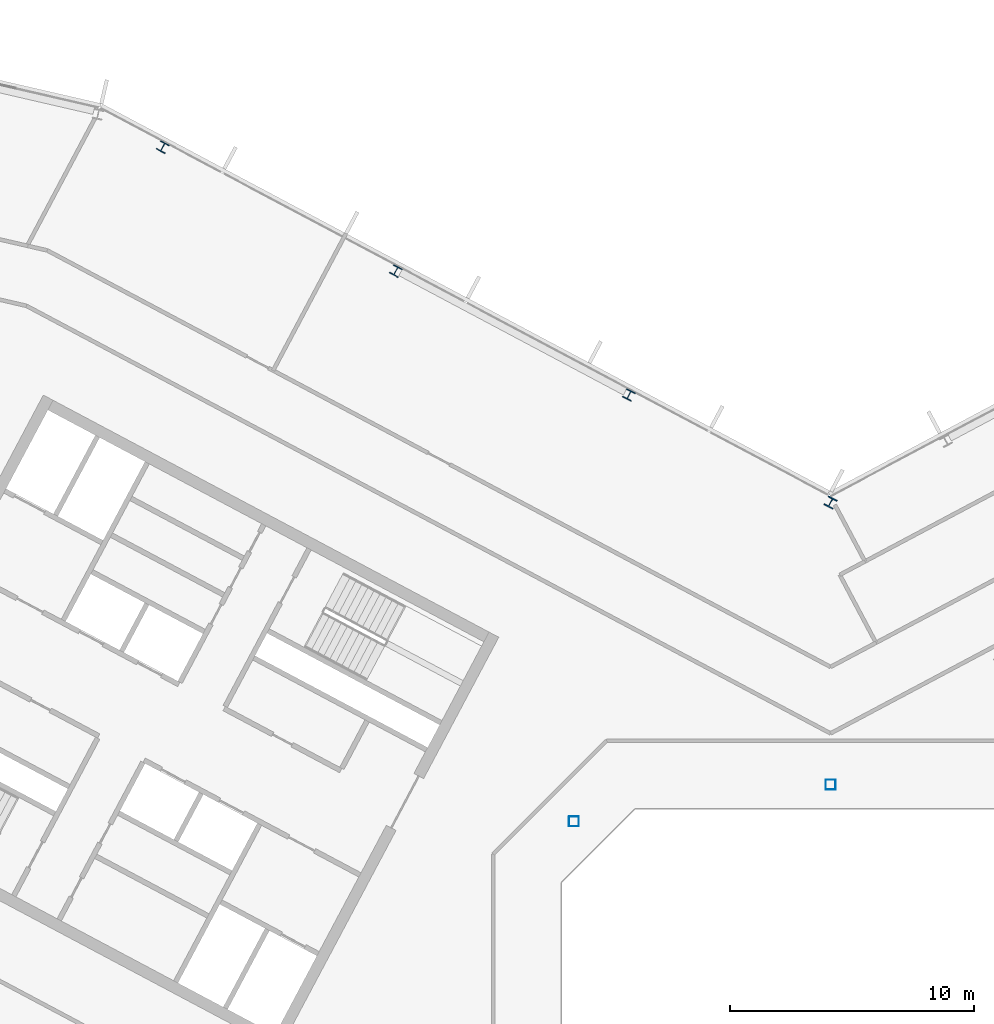
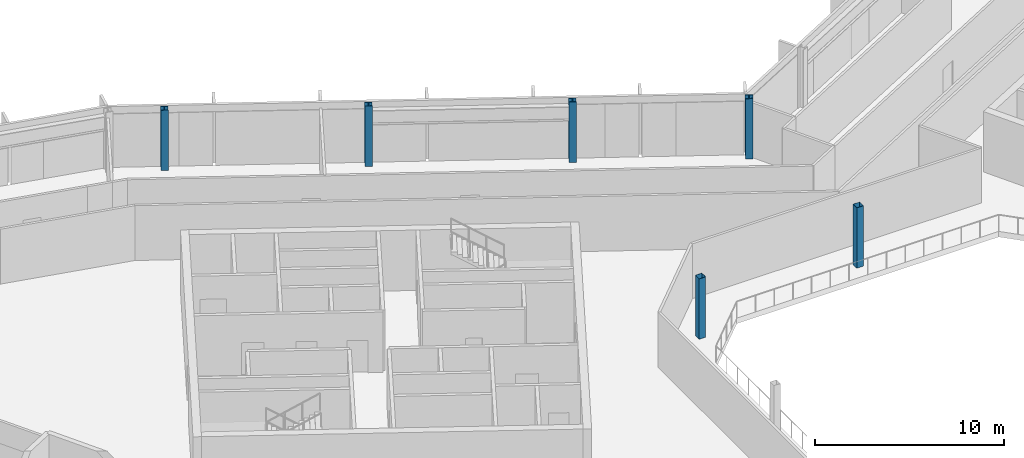
# One storey, part 4 of 26: 6 columns.
"""IFC4 building model written with IfcOpenShell, lengths in metres."""

import ifcopenshell
import ifcopenshell.guid

model = None  # the IFC model being written
_history = None  # IfcOwnerHistory: only IFC2X3 demands one
_inside = {}  # id of a spatial element -> (the spatial element, [elements in it])
_under = {}  # id of a project, library or spatial element -> (it, [spatial elements below it])
_declared = {}  # id of a project -> (the project, [libraries it declares])
_typed = {}  # id of a type object -> (the type object, [elements of that type])
_made_of = {}  # id of a material, layer set ... -> (it, [elements and type objects made of it])


def new_model(schema):
    """Start an empty IFC model of exactly this schema.

    Asked for "IFC4X3", IfcOpenShell would pick the latest addendum, in which some entities
    have other attributes; the version numbers below select the first issue.
    IFC2X3 requires an IfcOwnerHistory on every rooted entity: one is made here for all.
    """
    global model, _history
    if schema == "IFC4X3":
        model = ifcopenshell.file(schema_version=(4, 3, 0, 0))
    else:
        model = ifcopenshell.file(schema=schema)
    _inside.clear()
    _under.clear()
    _declared.clear()
    _typed.clear()
    _made_of.clear()
    _history = None
    if model.schema == "IFC2X3":
        org = make("IfcOrganization", Name="unknown")
        user = make(
            "IfcPersonAndOrganization",
            ThePerson=make("IfcPerson", FamilyName="unknown"),
            TheOrganization=org,
        )
        app = make(
            "IfcApplication",
            ApplicationDeveloper=org,
            Version="unknown",
            ApplicationFullName="unknown",
            ApplicationIdentifier="unknown",
        )
        _history = make(
            "IfcOwnerHistory",
            OwningUser=user,
            OwningApplication=app,
            ChangeAction="ADDED",
            CreationDate=0,
        )
    return model


def make(cls, **values):
    """One entity of the class cls with the attributes given. An attribute that is None is left unset."""
    return model.create_entity(
        cls, **{name: value for name, value in values.items() if value is not None}
    )


def rooted(cls, **values):
    """An entity with a GlobalId (a new one), such as an element, a storey or a relation."""
    return make(cls, GlobalId=ifcopenshell.guid.new(), OwnerHistory=_history, **values)


def si_unit(unit_type, name, prefix=None):
    """IfcSIUnit, for example si_unit("LENGTHUNIT", "METRE", prefix="MILLI")."""
    return make("IfcSIUnit", UnitType=unit_type, Prefix=prefix, Name=name)


def assignment(units):
    """IfcUnitAssignment: the units of a project."""
    return None if units is None else make("IfcUnitAssignment", Units=units)


def point(xyz):
    """IfcCartesianPoint."""
    return None if xyz is None else make("IfcCartesianPoint", Coordinates=xyz)


def direction(xyz):
    """IfcDirection."""
    return None if xyz is None else make("IfcDirection", DirectionRatios=xyz)


def frame(location, z_axis=None, x_axis=None):
    """IfcAxis2Placement3D, a coordinate frame: its origin and axes. An axis left out is left unset."""
    return make(
        "IfcAxis2Placement3D",
        Location=point(location),
        Axis=direction(z_axis),
        RefDirection=direction(x_axis),
    )


def frame_2d(location, x_axis=None):
    """IfcAxis2Placement2D, a coordinate frame in the plane: its origin and x axis."""
    return make(
        "IfcAxis2Placement2D", Location=point(location), RefDirection=direction(x_axis)
    )


def origin():
    """The frame at (0, 0, 0) with its axes left unset."""
    return frame((0.0, 0.0, 0.0))


def origin_2d():
    """The frame at (0, 0) in the plane with its x axis left unset."""
    return frame_2d((0.0, 0.0))


def place(relative_to, where):
    """IfcLocalPlacement: puts the frame where relative to a parent placement (None: the world)."""
    return make(
        "IfcLocalPlacement", PlacementRelTo=relative_to, RelativePlacement=where
    )


def context(
    kind, dimensions, precision=None, world=None, true_north=None, identifier=None
):
    """IfcGeometricRepresentationContext, for example the 3D "Model" context."""
    return make(
        "IfcGeometricRepresentationContext",
        ContextIdentifier=identifier,
        ContextType=kind,
        CoordinateSpaceDimension=dimensions,
        Precision=precision,
        WorldCoordinateSystem=world,
        TrueNorth=true_north,
    )


def subcontext(parent, identifier, kind, view, scale=None):
    """IfcGeometricRepresentationSubContext, for example "Body" below "Model"."""
    return make(
        "IfcGeometricRepresentationSubContext",
        ContextIdentifier=identifier,
        ContextType=kind,
        ParentContext=parent,
        TargetScale=scale,
        TargetView=view,
    )


def project(units=None, contexts=None):
    """IfcProject with its units and contexts."""
    return rooted(
        "IfcProject",
        Name="project",
        RepresentationContexts=contexts,
        UnitsInContext=assignment(units),
    )


def spatial(cls, under=None, at=None, **own):
    """A site, building, storey or space (cls), placed at a placement, below another one or the project."""
    s = rooted(cls, ObjectPlacement=at, **own)
    if under is not None:
        _under.setdefault(under.id(), (under, []))[1].append(s)
    return s


def profile(cls, at=None, kind="AREA", **sizes):
    """A parametric profile (cls). Its sizes go by their IFC names, for example OverallWidth=200.0."""
    return make(cls, ProfileType=kind, Position=at, **sizes)


def hollow_rectangle(**sizes):
    """IfcRectangleHollowProfileDef."""
    return profile("IfcRectangleHollowProfileDef", **sizes)


def i_section(**sizes):
    """IfcIShapeProfileDef."""
    return profile("IfcIShapeProfileDef", **sizes)


def extrude(swept, where, along, depth):
    """IfcExtrudedAreaSolid: the profile swept, set in the frame where, extruded along a direction by depth."""
    return make(
        "IfcExtrudedAreaSolid",
        SweptArea=swept,
        Position=where,
        ExtrudedDirection=direction(along),
        Depth=depth,
    )


def shape(context_of_items, identifier, shape_type, items):
    """IfcShapeRepresentation: the items that make up one representation, for example the "Body"."""
    return make(
        "IfcShapeRepresentation",
        ContextOfItems=context_of_items,
        RepresentationIdentifier=identifier,
        RepresentationType=shape_type,
        Items=items,
    )


def material(Name=None, Category=None):
    """IfcMaterial."""
    return make("IfcMaterial", Name=Name, Category=Category)


def material_profile(
    of_material, cross_section, Name=None, Category=None, Priority=None
):
    """IfcMaterialProfile: a cross section and its material."""
    return make(
        "IfcMaterialProfile",
        Name=Name,
        Material=of_material,
        Profile=cross_section,
        Priority=Priority,
        Category=Category,
    )


def profile_set(profiles, Name=None, composite=None):
    """IfcMaterialProfileSet."""
    return make(
        "IfcMaterialProfileSet",
        Name=Name,
        MaterialProfiles=profiles,
        CompositeProfile=composite,
    )


def made_of(thing, what):
    """Note that an element or type object is made of a material, layer set ...; save() writes the relation."""
    if what is not None:
        _made_of.setdefault(what.id(), (what, []))[1].append(thing)
    return thing


def type_object(cls, material=None, **own):
    """A type object (cls), such as IfcWallType, which elements share."""
    return made_of(rooted(cls, **own), material)


def element(
    cls,
    number,
    at=None,
    inside=None,
    cuts=None,
    type_object=None,
    material=None,
    context=None,
    identifier="Body",
    shape_type=None,
    held_by="IfcProductDefinitionShape",
    body=None,
    shapes=None,
    **own,
):
    """One element of the class cls, such as IfcWall. Its Tag is "e" and its number.

    at: its placement. inside: the storey or other place that contains it. cuts: it is an
    opening in that element (IfcRelVoidsElement). A single representation is given by context,
    identifier, shape_type and body (its items); several are given by shapes. held_by: the class
    of the entity that holds the representations. save() writes the other relations.
    """
    e = rooted(cls, Tag="e%d" % number, ObjectPlacement=at, **own)
    if body is not None:
        shapes = [shape(context, identifier, shape_type, body)]
    if shapes is not None:
        e.Representation = make(held_by, Representations=shapes)
    if inside is not None:
        _inside.setdefault(inside.id(), (inside, []))[1].append(e)
    if cuts is not None:
        rooted(
            "IfcRelVoidsElement", RelatingBuildingElement=cuts, RelatedOpeningElement=e
        )
    if type_object is not None:
        _typed.setdefault(type_object.id(), (type_object, []))[1].append(e)
    return made_of(e, material)


def aggregate(whole, parts):
    """IfcRelAggregates: a whole, such as a stair, and the parts it consists of."""
    return rooted("IfcRelAggregates", RelatingObject=whole, RelatedObjects=parts)


def save(model, path):
    """Write the relations noted so far, then the file.

    IfcRelAggregates (storeys below a building ...), IfcRelContainedInSpatialStructure (elements
    in a storey), IfcRelDefinesByType, IfcRelAssociatesMaterial and IfcRelDeclares: one each for
    every whole, place, type object, material and project.
    """
    for whole, parts in _under.values():
        aggregate(whole, parts)
    for where, things in _inside.values():
        rooted(
            "IfcRelContainedInSpatialStructure",
            RelatedElements=things,
            RelatingStructure=where,
        )
    for kind, things in _typed.values():
        rooted("IfcRelDefinesByType", RelatedObjects=things, RelatingType=kind)
    for what, things in _made_of.values():
        rooted("IfcRelAssociatesMaterial", RelatedObjects=things, RelatingMaterial=what)
    for by, libraries in _declared.values():
        rooted("IfcRelDeclares", RelatingContext=by, RelatedDefinitions=libraries)
    model.write(path)


model = new_model("IFC4")

# Units and contexts
model_context = context("Model", 3, precision=1e-05, world=origin(), true_north=direction((0.0, 1.0)))
body_context = subcontext(model_context, "Body", "Model", "MODEL_VIEW")
ifc_project = project(units=[si_unit("LENGTHUNIT", "METRE"), si_unit("AREAUNIT", "SQUARE_METRE"), si_unit("VOLUMEUNIT", "CUBIC_METRE"), si_unit("PLANEANGLEUNIT", "RADIAN"), si_unit("MASSUNIT", "GRAM", prefix="KILO")], contexts=[model_context])

# Site, building, storey
site_placement = place(None, origin())
site = spatial("IfcSite", under=ifc_project, at=site_placement, CompositionType="ELEMENT")
building_placement = place(site_placement, origin())
building = spatial("IfcBuilding", under=site, at=building_placement, Name="Cormorant Relay Tower", CompositionType="ELEMENT")
storey_placement = place(building_placement, frame((0.0, 0.0, 293.10009765625)))
storey = spatial("IfcBuildingStorey", under=building, at=storey_placement, Name="L66", CompositionType="ELEMENT", Elevation=293.10009765625)

# Columns
ifc_material_1 = material(Name="Steel ASTM A500 Grade C (Fy 345 MPa)", Category="steel")
ifc_material_profile_1 = material_profile(ifc_material_1, hollow_rectangle(XDim=0.406494140625, YDim=0.406494140625, WallThickness=0.0087890625, InnerFilletRadius=0.00439453125, OuterFilletRadius=0.01318359375, at=origin_2d()), Name="HSS406x406x9")
ifc_profile_set_1 = profile_set([ifc_material_profile_1], Name="Steel ASTM A500 Grade C (Fy 345 MPa)")
column_type_1 = type_object("IfcColumnType", Name="Column HSS406x406x9", PredefinedType="COLUMN", material=ifc_profile_set_1)
for number, where, z_axis, x_axis, name in (
    (1, (-10.5, 10.5, 0.0), (0.0, 0.0, 1.0), (1.0, 0.0, 0.0), "Column L66-023"),
    (2, (0.0, 12.0, 0.0), (0.0, 0.0, 1.0), (1.0, 0.0, 0.0), "Column L66-025"),
):
    element("IfcColumn", number, at=place(storey_placement, frame(where, z_axis=z_axis, x_axis=x_axis)), inside=storey, type_object=column_type_1, Name=name, PredefinedType="COLUMN", context=body_context, shape_type="SweptSolid", body=[
        extrude(hollow_rectangle(XDim=0.406494140625, YDim=0.406494140625, WallThickness=0.0087890625, InnerFilletRadius=0.00439453125, OuterFilletRadius=0.01318359375, at=origin_2d()), origin(), (0.0, 0.0, 1.0), 3.89990234375),
    ])
ifc_material_2 = material(Name="Steel ASTM A992 (Fy 345 MPa)", Category="steel")
ifc_material_profile_2 = material_profile(ifc_material_2, i_section(OverallWidth=0.398681640625, OverallDepth=0.385986328125, WebThickness=0.02099609375, FlangeThickness=0.033203125, FilletRadius=0.01513671875, at=origin_2d()), Name="W360x262")
ifc_profile_set_2 = profile_set([ifc_material_profile_2], Name="Steel ASTM A992 (Fy 345 MPa)")
column_type_2 = type_object("IfcColumnType", Name="Column W360x262", PredefinedType="COLUMN", material=ifc_profile_set_2)
for number, where, z_axis, x_axis, name in (
    (3, (-8.2470703125, 27.943115234375, 0.0), (0.0, 0.0, 1.0), (-0.882947592859, 0.469471562786, 0.0), "Column L66-032"),
    (4, (-17.782958984375, 33.012939453125, 0.0), (0.0, 0.0, 1.0), (-0.882947592859, 0.469471562786, 0.0), "Column L66-036"),
    (5, (-27.319091796875, 38.0830078125, 0.0), (0.0, 0.0, 1.0), (-0.882947592859, 0.469471562786, 0.0), "Column L66-040"),
):
    element("IfcColumn", number, at=place(storey_placement, frame(where, z_axis=z_axis, x_axis=x_axis)), inside=storey, type_object=column_type_2, Name=name, PredefinedType="COLUMN", context=body_context, shape_type="SweptSolid", body=[
        extrude(i_section(OverallWidth=0.398681640625, OverallDepth=0.385986328125, WebThickness=0.02099609375, FlangeThickness=0.033203125, FilletRadius=0.01513671875, at=origin_2d()), origin(), (0.0, 0.0, 1.0), 3.89990234375),
    ])
ifc_material_3 = material(Name="Steel ASTM A992 (Fy 345 MPa)", Category="steel")
ifc_material_profile_3 = material_profile(ifc_material_3, i_section(OverallWidth=0.40380859375, OverallDepth=0.406494140625, WebThickness=0.027099609375, FlangeThickness=0.043701171875, FilletRadius=0.01513671875, at=origin_2d()), Name="W360x347")
ifc_profile_set_3 = profile_set([ifc_material_profile_3], Name="Steel ASTM A992 (Fy 345 MPa)")
column_type_3 = type_object("IfcColumnType", Name="Column W360x347", PredefinedType="COLUMN", material=ifc_profile_set_3)
column_placement = place(storey_placement, frame((0.0, 23.5439453125, 0.0), z_axis=(0.0, 0.0, 1.0), x_axis=(-0.882947592859, 0.469471562786, 0.0)))
element("IfcColumn", 6, at=column_placement, inside=storey, type_object=column_type_3, Name="Column L66-029", PredefinedType="COLUMN", context=body_context, shape_type="SweptSolid", body=[
    extrude(i_section(OverallWidth=0.40380859375, OverallDepth=0.406494140625, WebThickness=0.027099609375, FlangeThickness=0.043701171875, FilletRadius=0.01513671875, at=origin_2d()), origin(), (0.0, 0.0, 1.0), 3.89990234375),
])

save(model, "model.ifc")
